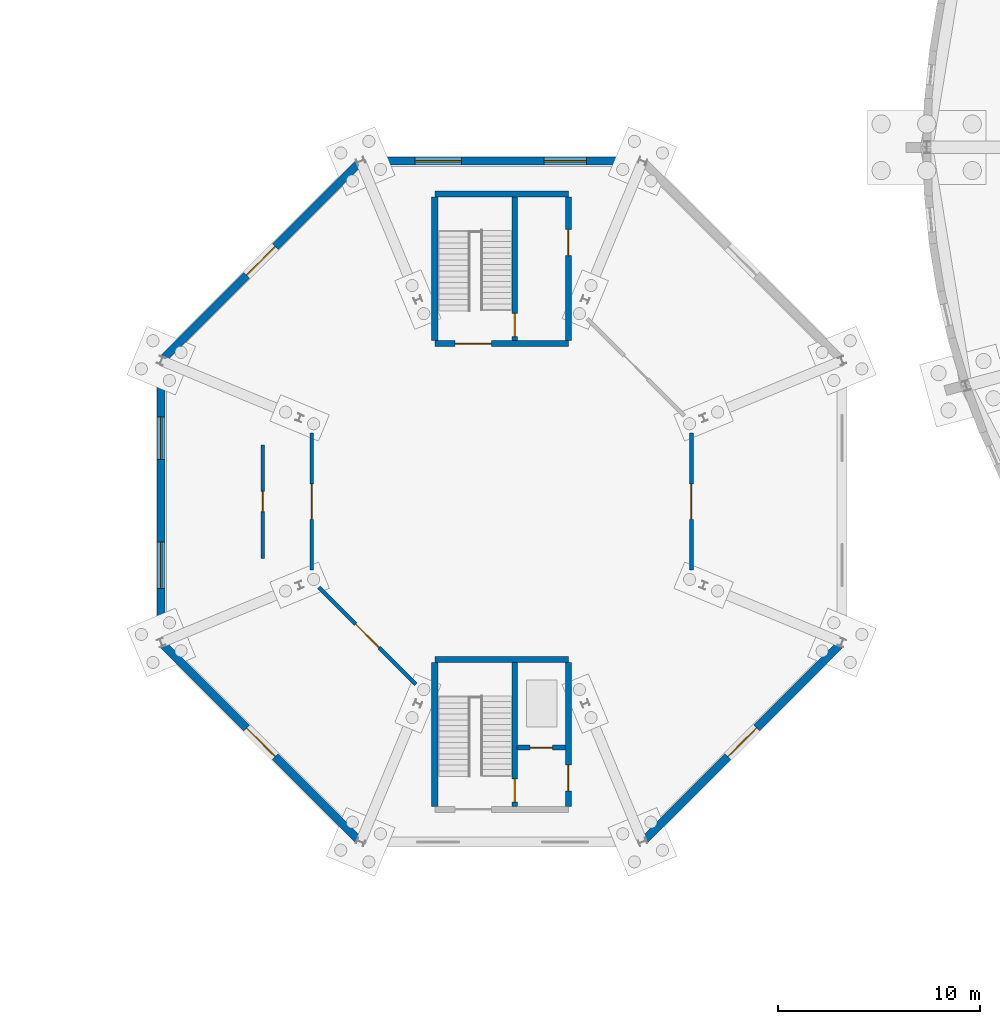
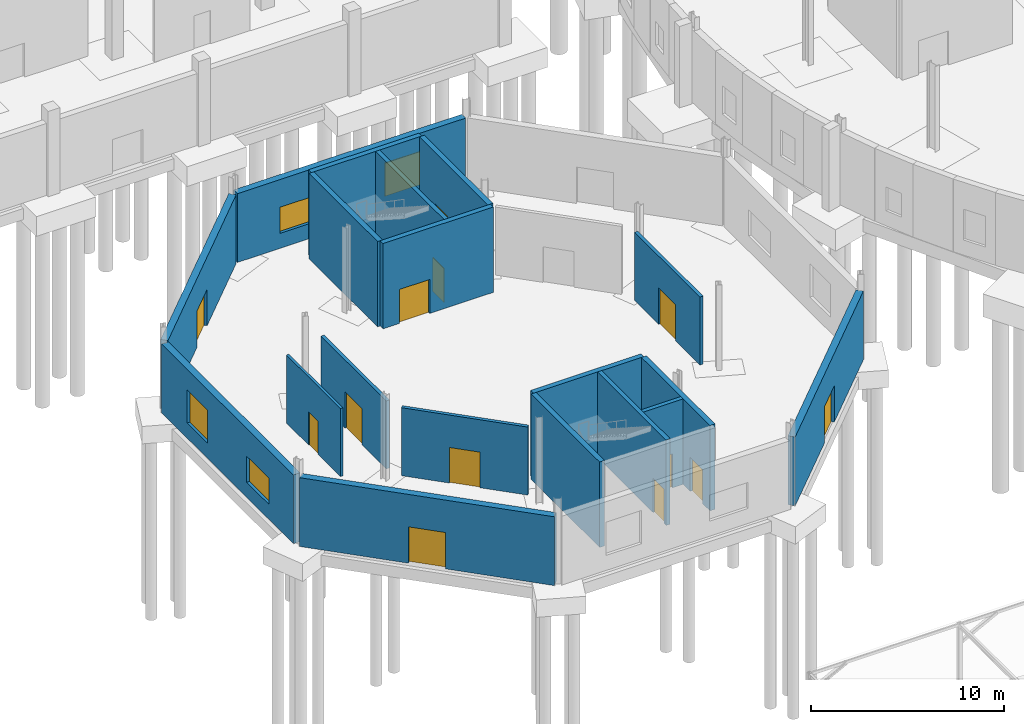
# One storey, part 86 of 118: 19 walls, 13 doors, 4 windows, 17 openings.
"""IFC4 building model written with IfcOpenShell, lengths in metres."""

from ifc_helpers import new_model, si_unit, direction, frame, frame_2d, origin, place, context, subcontext, project, spatial, rectangle, extrude, material, layer, layer_set, type_object, element, fill, save


model = new_model("IFC4")

# Units and contexts
model_context = context("Model", 3, precision=1e-05, world=origin(), true_north=direction((0.0, 1.0)))
body_context = subcontext(model_context, "Body", "Model", "MODEL_VIEW")
ifc_project = project(units=[si_unit("LENGTHUNIT", "METRE"), si_unit("AREAUNIT", "SQUARE_METRE"), si_unit("VOLUMEUNIT", "CUBIC_METRE"), si_unit("PLANEANGLEUNIT", "RADIAN"), si_unit("MASSUNIT", "GRAM", prefix="KILO")], contexts=[model_context])

# Site, building, storey
site_placement = place(None, origin())
site = spatial("IfcSite", under=ifc_project, at=site_placement, CompositionType="ELEMENT")
building_placement = place(site_placement, origin())
building = spatial("IfcBuilding", under=site, at=building_placement, Name="Kildeholm Park Wholesale Market", CompositionType="ELEMENT")
storey_placement = place(building_placement, origin())
storey = spatial("IfcBuildingStorey", under=building, at=storey_placement, Name="L00", CompositionType="ELEMENT", Elevation=0.0)

# Wall, openings, windows
ifc_material_1 = material(Name="Bornholm granite stone plinth and Concrete C35/45 wall", Category="masonry")
ifc_layer_1 = layer(ifc_material_1, 0.39990234375)
ifc_layer_set_1 = layer_set([ifc_layer_1], Name="Bornholm granite stone plinth and Concrete C35/45 wall")
wall_type_1 = type_object("IfcWallType", Name="Exterior wall W-EX2 400 mm", PredefinedType="SOLIDWALL", material=ifc_layer_set_1)
wall_1_placement = place(storey_placement, frame((27.824951171875, 88.81494140625, 0.0), z_axis=(0.0, 0.0, 1.0), x_axis=(-1.0, 0.0, 0.0)))
wall_1 = element("IfcWall", 1, at=wall_1_placement, inside=storey, type_object=wall_type_1, Name="Auction pavilion facet wall 2 WL-0310", PredefinedType="SOLIDWALL", context=body_context, shape_type="SweptSolid", body=[
    extrude(rectangle(XDim=13.64990234375, YDim=0.39990234375, at=frame_2d((6.824951171875, 0.0))), origin(), (0.0, 0.0, 1.0), 4.35009765625),
])
opening_1_placement = place(wall_1_placement, frame((2.635009765625, 0.0, 0.949951171875)))
opening_1 = element("IfcOpeningElement", 2, at=opening_1_placement, cuts=wall_1, Name="Opening WN-03", PredefinedType="OPENING", context=body_context, shape_type="SweptSolid", body=[
    extrude(rectangle(XDim=2.10009765625, YDim=2.10009765625, at=frame_2d((1.050048828125, 1.050048828125))), frame((0.0, 0.2099609375, 0.0), z_axis=(0.0, -1.0, 0.0), x_axis=(1.0, 0.0, 0.0)), (0.0, 0.0, 1.0), 0.419921875),
])
opening_2_placement = place(wall_1_placement, frame((8.81396484375, 0.0, 0.949951171875)))
opening_2 = element("IfcOpeningElement", 3, at=opening_2_placement, cuts=wall_1, Name="Opening WN-23", PredefinedType="OPENING", context=body_context, shape_type="SweptSolid", body=[
    extrude(rectangle(XDim=2.300048828125, YDim=1.64990234375, at=frame_2d((1.14990234375, 0.824951171875))), frame((0.0, 0.2099609375, 0.0), z_axis=(0.0, -1.0, 0.0), x_axis=(1.0, 0.0, 0.0)), (0.0, 0.0, 1.0), 0.419921875),
])
ifc_material_2 = material(Name="Thermally broken aluminium and triple-glazed low-E glass", Category="aluminium")
window_type_1 = type_object("IfcWindowType", Name="Window WN-03 2100x2100", PartitioningType="TRIPLE_PANEL_VERTICAL", PredefinedType="WINDOW", material=ifc_material_2)
window_1_placement = place(opening_1_placement, origin())
window_1 = element("IfcWindow", 4, at=window_1_placement, inside=storey, type_object=window_type_1, Name="Auction facet window 2A WIN-0091", OverallHeight=2.10009765625, OverallWidth=2.10009765625, PartitioningType="SINGLE_PANEL", PredefinedType="WINDOW", context=body_context, shape_type="SweptSolid", body=[
    extrude(rectangle(XDim=2.10009765625, YDim=2.10009765625, at=frame_2d((1.050048828125, 1.050048828125))), frame((0.0, 0.030029296875, 0.0), z_axis=(0.0, -1.0, 0.0), x_axis=(1.0, 0.0, 0.0)), (0.0, 0.0, 1.0), 0.06005859375),
])
fill(opening_1, window_1)
window_type_2 = type_object("IfcWindowType", Name="Window WN-23 2300x1650", PartitioningType="TRIPLE_PANEL_VERTICAL", PredefinedType="WINDOW", material=ifc_material_2)
window_2_placement = place(opening_2_placement, origin())
window_2 = element("IfcWindow", 5, at=window_2_placement, inside=storey, type_object=window_type_2, Name="Auction facet window 2B WIN-0092", OverallHeight=1.64990234375, OverallWidth=2.300048828125, PartitioningType="SINGLE_PANEL", PredefinedType="WINDOW", context=body_context, shape_type="SweptSolid", body=[
    extrude(rectangle(XDim=2.300048828125, YDim=1.64990234375, at=frame_2d((1.14990234375, 0.824951171875))), frame((0.0, 0.030029296875, 0.0), z_axis=(0.0, -1.0, 0.0), x_axis=(1.0, 0.0, 0.0)), (0.0, 0.0, 1.0), 0.06005859375),
])
fill(opening_2, window_2)

# Wall, opening, door
wall_2_placement = place(storey_placement, frame((13.93603515625, 88.716064453125, 0.0), z_axis=(0.0, 0.0, 1.0), x_axis=(-0.707106781187, -0.707106781187, 0.0)))
wall_2 = element("IfcWall", 6, at=wall_2_placement, inside=storey, type_object=wall_type_1, Name="Auction pavilion facet wall 3 WL-0311", PredefinedType="SOLIDWALL", context=body_context, shape_type="SweptSolid", body=[
    extrude(rectangle(XDim=13.650146484375, YDim=0.39990234375, at=frame_2d((6.8251953125, 0.0))), origin(), (0.0, 0.0, 1.0), 4.35009765625),
])
opening_3_placement = place(wall_2_placement, frame((5.824951171875, 0.0, 0.0)))
opening_3 = element("IfcOpeningElement", 7, at=opening_3_placement, cuts=wall_2, Name="Opening D-EX02", PredefinedType="OPENING", context=body_context, shape_type="SweptSolid", body=[
    extrude(rectangle(XDim=2.0, YDim=2.300048828125, at=frame_2d((1.0, 1.14990234375))), frame((0.0, 0.2099609375, 0.0), z_axis=(0.0, -1.0, 0.0), x_axis=(1.0, 0.0, 0.0)), (0.0, 0.0, 1.0), 0.419921875),
])
ifc_material_3 = material(Name="Anodised aluminium and safety glass", Category="aluminium")
door_type_1 = type_object("IfcDoorType", Name="Exterior door D-EX02 2000x2300", OperationType="NOTDEFINED", PredefinedType="DOOR", material=ifc_material_3)
door_1_placement = place(opening_3_placement, frame((2.0, 0.0, 0.0), z_axis=(0.0, 0.0, 1.0), x_axis=(-1.0, 0.0, 0.0)))
door_1 = element("IfcDoor", 8, at=door_1_placement, inside=storey, type_object=door_type_1, Name="Auction pavilion exit door 3 DR-0016 WL-0311", OperationType="DOUBLE_DOOR_SINGLE_SWING", OverallHeight=2.300048828125, OverallWidth=2.0, PredefinedType="DOOR", context=body_context, shape_type="SweptSolid", body=[
    extrude(rectangle(XDim=2.0, YDim=2.300048828125, at=frame_2d((1.0, 1.14990234375))), frame((0.0, 0.02490234375, 0.0), z_axis=(0.0, -1.0, 0.0), x_axis=(1.0, 0.0, 0.0)), (0.0, 0.0, 1.0), 0.050048828125),
])
fill(opening_3, door_1)

# Wall, openings, windows
wall_3_placement = place(storey_placement, frame((4.18505859375, 78.824951171875, 0.0), z_axis=(0.0, 0.0, 1.0), x_axis=(0.0, -1.0, 0.0)))
wall_3 = element("IfcWall", 9, at=wall_3_placement, inside=storey, type_object=wall_type_1, Name="Auction pavilion facet wall 4 WL-0312", PredefinedType="SOLIDWALL", context=body_context, shape_type="SweptSolid", body=[
    extrude(rectangle(XDim=13.64990234375, YDim=0.39990234375, at=frame_2d((6.824951171875, 0.0))), origin(), (0.0, 0.0, 1.0), 4.35009765625),
])
opening_4_placement = place(wall_3_placement, frame((2.635986328125, 0.0, 0.949951171875)))
opening_4 = element("IfcOpeningElement", 10, at=opening_4_placement, cuts=wall_3, Name="Opening WN-03", PredefinedType="OPENING", context=body_context, shape_type="SweptSolid", body=[
    extrude(rectangle(XDim=2.10009765625, YDim=2.10009765625, at=frame_2d((1.050048828125, 1.050048828125))), frame((0.0, 0.2099609375, 0.0), z_axis=(0.0, -1.0, 0.0), x_axis=(1.0, 0.0, 0.0)), (0.0, 0.0, 1.0), 0.419921875),
])
opening_5_placement = place(wall_3_placement, frame((8.81494140625, 0.0, 0.949951171875)))
opening_5 = element("IfcOpeningElement", 11, at=opening_5_placement, cuts=wall_3, Name="Opening WN-23", PredefinedType="OPENING", context=body_context, shape_type="SweptSolid", body=[
    extrude(rectangle(XDim=2.300048828125, YDim=1.64990234375, at=frame_2d((1.14990234375, 0.824951171875))), frame((0.0, 0.2099609375, 0.0), z_axis=(0.0, -1.0, 0.0), x_axis=(1.0, 0.0, 0.0)), (0.0, 0.0, 1.0), 0.419921875),
])
window_3_placement = place(opening_4_placement, origin())
window_3 = element("IfcWindow", 12, at=window_3_placement, inside=storey, type_object=window_type_1, Name="Auction facet window 4A WIN-0093", OverallHeight=2.10009765625, OverallWidth=2.10009765625, PartitioningType="SINGLE_PANEL", PredefinedType="WINDOW", context=body_context, shape_type="SweptSolid", body=[
    extrude(rectangle(XDim=2.10009765625, YDim=2.10009765625, at=frame_2d((1.050048828125, 1.050048828125))), frame((0.0, 0.030029296875, 0.0), z_axis=(0.0, -1.0, 0.0), x_axis=(1.0, 0.0, 0.0)), (0.0, 0.0, 1.0), 0.06005859375),
])
fill(opening_4, window_3)
window_4_placement = place(opening_5_placement, origin())
window_4 = element("IfcWindow", 13, at=window_4_placement, inside=storey, type_object=window_type_2, Name="Auction facet window 4B WIN-0094", OverallHeight=1.64990234375, OverallWidth=2.300048828125, PartitioningType="SINGLE_PANEL", PredefinedType="WINDOW", context=body_context, shape_type="SweptSolid", body=[
    extrude(rectangle(XDim=2.300048828125, YDim=1.64990234375, at=frame_2d((1.14990234375, 0.824951171875))), frame((0.0, 0.030029296875, 0.0), z_axis=(0.0, -1.0, 0.0), x_axis=(1.0, 0.0, 0.0)), (0.0, 0.0, 1.0), 0.06005859375),
])
fill(opening_5, window_4)

# Wall, opening, door
wall_4_placement = place(storey_placement, frame((4.283935546875, 64.93603515625, 0.0), z_axis=(0.0, 0.0, 1.0), x_axis=(0.707106781187, -0.707106781187, 0.0)))
wall_4 = element("IfcWall", 14, at=wall_4_placement, inside=storey, type_object=wall_type_1, Name="Auction pavilion facet wall 5 WL-0313", PredefinedType="SOLIDWALL", context=body_context, shape_type="SweptSolid", body=[
    extrude(rectangle(XDim=13.650146484375, YDim=0.39990234375, at=frame_2d((6.8251953125, 0.0))), origin(), (0.0, 0.0, 1.0), 4.35009765625),
])
opening_6_placement = place(wall_4_placement, frame((5.824951171875, 0.0, 0.0)))
opening_6 = element("IfcOpeningElement", 15, at=opening_6_placement, cuts=wall_4, Name="Opening D-EX02", PredefinedType="OPENING", context=body_context, shape_type="SweptSolid", body=[
    extrude(rectangle(XDim=2.0, YDim=2.300048828125, at=frame_2d((1.0, 1.14990234375))), frame((0.0, 0.2099609375, 0.0), z_axis=(0.0, -1.0, 0.0), x_axis=(1.0, 0.0, 0.0)), (0.0, 0.0, 1.0), 0.419921875),
])
door_2_placement = place(opening_6_placement, frame((2.0, 0.0, 0.0), z_axis=(0.0, 0.0, 1.0), x_axis=(-1.0, 0.0, 0.0)))
door_2 = element("IfcDoor", 16, at=door_2_placement, inside=storey, type_object=door_type_1, Name="Auction pavilion exit door 5 DR-0017 WL-0313", OperationType="DOUBLE_DOOR_SINGLE_SWING", OverallHeight=2.300048828125, OverallWidth=2.0, PredefinedType="DOOR", context=body_context, shape_type="SweptSolid", body=[
    extrude(rectangle(XDim=2.0, YDim=2.300048828125, at=frame_2d((1.0, 1.14990234375))), frame((0.0, 0.02490234375, 0.0), z_axis=(0.0, -1.0, 0.0), x_axis=(1.0, 0.0, 0.0)), (0.0, 0.0, 1.0), 0.050048828125),
])
fill(opening_6, door_2)

wall_5_placement = place(storey_placement, frame((28.06396484375, 55.283935546875, 0.0), z_axis=(0.0, 0.0, 1.0), x_axis=(0.707106781187, 0.707106781187, 0.0)))
wall_5 = element("IfcWall", 17, at=wall_5_placement, inside=storey, type_object=wall_type_1, Name="Auction pavilion facet wall 7 WL-0315", PredefinedType="SOLIDWALL", context=body_context, shape_type="SweptSolid", body=[
    extrude(rectangle(XDim=13.650146484375, YDim=0.39990234375, at=frame_2d((6.8251953125, 0.0))), origin(), (0.0, 0.0, 1.0), 4.35009765625),
])
opening_7_placement = place(wall_5_placement, frame((5.824951171875, 0.0, 0.0)))
opening_7 = element("IfcOpeningElement", 18, at=opening_7_placement, cuts=wall_5, Name="Opening D-EX02", PredefinedType="OPENING", context=body_context, shape_type="SweptSolid", body=[
    extrude(rectangle(XDim=2.0, YDim=2.300048828125, at=frame_2d((1.0, 1.14990234375))), frame((0.0, 0.2099609375, 0.0), z_axis=(0.0, -1.0, 0.0), x_axis=(1.0, 0.0, 0.0)), (0.0, 0.0, 1.0), 0.419921875),
])
door_3_placement = place(opening_7_placement, frame((2.0, 0.0, 0.0), z_axis=(0.0, 0.0, 1.0), x_axis=(-1.0, 0.0, 0.0)))
door_3 = element("IfcDoor", 19, at=door_3_placement, inside=storey, type_object=door_type_1, Name="Auction pavilion exit door 7 DR-0018 WL-0315", OperationType="DOUBLE_DOOR_SINGLE_SWING", OverallHeight=2.300048828125, OverallWidth=2.0, PredefinedType="DOOR", context=body_context, shape_type="SweptSolid", body=[
    extrude(rectangle(XDim=2.0, YDim=2.300048828125, at=frame_2d((1.0, 1.14990234375))), frame((0.0, 0.02490234375, 0.0), z_axis=(0.0, -1.0, 0.0), x_axis=(1.0, 0.0, 0.0)), (0.0, 0.0, 1.0), 0.050048828125),
])
fill(opening_7, door_3)

ifc_material_4 = material(Name="Acoustic auction bowl surround wall")
ifc_layer_2 = layer(ifc_material_4, 0.195068359375)
ifc_layer_set_2 = layer_set([ifc_layer_2], Name="Acoustic auction bowl surround wall")
wall_type_2 = type_object("IfcWallType", Name="Partition W-PT07 195 mm", PredefinedType="PARTITIONING", material=ifc_layer_set_2)
wall_6_placement = place(storey_placement, frame((11.62109375, 75.385009765625, 0.0), z_axis=(0.0, 0.0, 1.0), x_axis=(0.0, -1.0, 0.0)))
wall_6 = element("IfcWall", 20, at=wall_6_placement, inside=storey, type_object=wall_type_2, Name="Interior partition W-V3-BWL-03 WL-0965", PredefinedType="PARTITIONING", context=body_context, shape_type="SweptSolid", body=[
    extrude(rectangle(XDim=6.77001953125, YDim=0.195068359375, at=frame_2d((3.385009765625, 0.0))), origin(), (0.0, 0.0, 1.0), 4.300048828125),
])
opening_8_placement = place(wall_6_placement, frame((2.510009765625, 0.0, 0.0)))
opening_8 = element("IfcOpeningElement", 21, at=opening_8_placement, cuts=wall_6, Name="Opening D-IN13", PredefinedType="OPENING", context=body_context, shape_type="SweptSolid", body=[
    extrude(rectangle(XDim=1.75, YDim=2.300048828125, at=frame_2d((0.875, 1.14990234375))), frame((0.0, 0.107421875, 0.0), z_axis=(0.0, -1.0, 0.0), x_axis=(1.0, 0.0, 0.0)), (0.0, 0.0, 1.0), 0.215087890625),
])
ifc_material_5 = material(Name="Auction marshalling double doorset")
door_type_2 = type_object("IfcDoorType", Name="Interior door D-IN13 1750x2300", OperationType="NOTDEFINED", PredefinedType="DOOR", material=ifc_material_5)
door_4_placement = place(opening_8_placement, origin())
door_4 = element("IfcDoor", 22, at=door_4_placement, inside=storey, type_object=door_type_2, Name="Interior door V3-BWL-03 DR-0240 WL-0965", OperationType="DOUBLE_DOOR_SINGLE_SWING", OverallHeight=2.300048828125, OverallWidth=1.75, PredefinedType="DOOR", context=body_context, shape_type="SweptSolid", body=[
    extrude(rectangle(XDim=1.75, YDim=2.300048828125, at=frame_2d((0.875, 1.14990234375))), frame((0.0, 0.02490234375, 0.0), z_axis=(0.0, -1.0, 0.0), x_axis=(1.0, 0.0, 0.0)), (0.0, 0.0, 1.0), 0.050048828125),
])
fill(opening_8, door_4)

wall_7_placement = place(storey_placement, frame((11.97509765625, 67.760986328125, 0.0), z_axis=(0.0, 0.0, 1.0), x_axis=(0.707106781187, -0.707106781187, 0.0)))
wall_7 = element("IfcWall", 23, at=wall_7_placement, inside=storey, type_object=wall_type_2, Name="Interior partition W-V3-BWL-04 WL-0966", PredefinedType="PARTITIONING", context=body_context, shape_type="SweptSolid", body=[
    extrude(rectangle(XDim=6.768310546875, YDim=0.195068359375, at=frame_2d((3.38427734375, 0.0))), origin(), (0.0, 0.0, 1.0), 4.300048828125),
])
opening_9_placement = place(wall_7_placement, frame((2.55908203125, 0.0, 0.0)))
opening_9 = element("IfcOpeningElement", 24, at=opening_9_placement, cuts=wall_7, Name="Opening D-IN06", PredefinedType="OPENING", context=body_context, shape_type="SweptSolid", body=[
    extrude(rectangle(XDim=1.64990234375, YDim=2.25, at=frame_2d((0.824951171875, 1.125))), frame((0.0, 0.107421875, 0.0), z_axis=(0.0, -1.0, 0.0), x_axis=(1.0, 0.0, 0.0)), (0.0, 0.0, 1.0), 0.215087890625),
])
ifc_material_6 = material(Name="Double-leaf auction and community hall doorset")
door_type_3 = type_object("IfcDoorType", Name="Interior door D-IN06 1650x2250", OperationType="NOTDEFINED", PredefinedType="DOOR", material=ifc_material_6)
door_5_placement = place(opening_9_placement, origin())
door_5 = element("IfcDoor", 25, at=door_5_placement, inside=storey, type_object=door_type_3, Name="Interior door V3-BWL-04 DR-0241 WL-0966", OperationType="DOUBLE_DOOR_SINGLE_SWING", OverallHeight=2.25, OverallWidth=1.64990234375, PredefinedType="DOOR", context=body_context, shape_type="SweptSolid", body=[
    extrude(rectangle(XDim=1.64990234375, YDim=2.25, at=frame_2d((0.824951171875, 1.125))), frame((0.0, 0.02490234375, 0.0), z_axis=(0.0, -1.0, 0.0), x_axis=(1.0, 0.0, 0.0)), (0.0, 0.0, 1.0), 0.050048828125),
])
fill(opening_9, door_5)

wall_8_placement = place(storey_placement, frame((30.37890625, 68.614990234375, 0.0), z_axis=(0.0, 0.0, 1.0), x_axis=(0.0, 1.0, 0.0)))
wall_8 = element("IfcWall", 26, at=wall_8_placement, inside=storey, type_object=wall_type_2, Name="Interior partition W-V3-BWL-07 WL-0967", PredefinedType="PARTITIONING", context=body_context, shape_type="SweptSolid", body=[
    extrude(rectangle(XDim=6.77001953125, YDim=0.195068359375, at=frame_2d((3.385009765625, 0.0))), origin(), (0.0, 0.0, 1.0), 4.300048828125),
])
opening_10_placement = place(wall_8_placement, frame((2.510009765625, 0.0, 0.0)))
opening_10 = element("IfcOpeningElement", 27, at=opening_10_placement, cuts=wall_8, Name="Opening D-IN13", PredefinedType="OPENING", context=body_context, shape_type="SweptSolid", body=[
    extrude(rectangle(XDim=1.75, YDim=2.300048828125, at=frame_2d((0.875, 1.14990234375))), frame((0.0, 0.107421875, 0.0), z_axis=(0.0, -1.0, 0.0), x_axis=(1.0, 0.0, 0.0)), (0.0, 0.0, 1.0), 0.215087890625),
])
door_6_placement = place(opening_10_placement, origin())
door_6 = element("IfcDoor", 28, at=door_6_placement, inside=storey, type_object=door_type_2, Name="Interior door V3-BWL-07 DR-0242 WL-0967", OperationType="DOUBLE_DOOR_SINGLE_SWING", OverallHeight=2.300048828125, OverallWidth=1.75, PredefinedType="DOOR", context=body_context, shape_type="SweptSolid", body=[
    extrude(rectangle(XDim=1.75, YDim=2.300048828125, at=frame_2d((0.875, 1.14990234375))), frame((0.0, 0.02490234375, 0.0), z_axis=(0.0, -1.0, 0.0), x_axis=(1.0, 0.0, 0.0)), (0.0, 0.0, 1.0), 0.050048828125),
])
fill(opening_10, door_6)

ifc_material_7 = material(Name="Tile-faced sanitary core partition")
ifc_layer_3 = layer(ifc_material_7, 0.155029296875)
ifc_layer_set_3 = layer_set([ifc_layer_3], Name="Tile-faced sanitary core partition")
wall_type_3 = type_object("IfcWallType", Name="Partition W-PT15 155 mm", PredefinedType="PARTITIONING", material=ifc_layer_set_3)
wall_9_placement = place(storey_placement, frame((9.199951171875, 69.199951171875, 0.0), z_axis=(0.0, 0.0, 1.0), x_axis=(0.0, 1.0, 0.0)))
wall_9 = element("IfcWall", 29, at=wall_9_placement, inside=storey, type_object=wall_type_3, Name="Interior partition W-V3-WC0 WL-0968", PredefinedType="PARTITIONING", context=body_context, shape_type="SweptSolid", body=[
    extrude(rectangle(XDim=5.60009765625, YDim=0.155029296875, at=frame_2d((2.800048828125, 0.0))), origin(), (0.0, 0.0, 1.0), 4.300048828125),
])
opening_11_placement = place(wall_9_placement, frame((2.300048828125, 0.0, 0.0)))
opening_11 = element("IfcOpeningElement", 30, at=opening_11_placement, cuts=wall_9, Name="Opening D-IN02", PredefinedType="OPENING", context=body_context, shape_type="SweptSolid", body=[
    extrude(rectangle(XDim=1.0, YDim=2.10009765625, at=frame_2d((0.5, 1.050048828125))), frame((0.0, 0.08740234375, 0.0), z_axis=(0.0, -1.0, 0.0), x_axis=(1.0, 0.0, 0.0)), (0.0, 0.0, 1.0), 0.175048828125),
])
ifc_material_8 = material(Name="Hygienic laminate accessible WC doorset")
door_type_4 = type_object("IfcDoorType", Name="Interior door D-IN02 1000x2100", OperationType="NOTDEFINED", PredefinedType="DOOR", material=ifc_material_8)
door_7_placement = place(opening_11_placement, origin())
door_7 = element("IfcDoor", 31, at=door_7_placement, inside=storey, type_object=door_type_4, Name="Interior door V3-WC0 DR-0243 WL-0968", OperationType="SINGLE_SWING_LEFT", OverallHeight=2.10009765625, OverallWidth=1.0, PredefinedType="DOOR", context=body_context, shape_type="SweptSolid", body=[
    extrude(rectangle(XDim=1.0, YDim=2.10009765625, at=frame_2d((0.5, 1.050048828125))), frame((0.0, 0.02490234375, 0.0), z_axis=(0.0, -1.0, 0.0), x_axis=(1.0, 0.0, 0.0)), (0.0, 0.0, 1.0), 0.050048828125),
])
fill(opening_11, door_7)

# Walls
ifc_material_9 = material(Name="Concrete C40/50", Category="concrete")
ifc_layer_4 = layer(ifc_material_9, 0.300048828125)
ifc_layer_set_4 = layer_set([ifc_layer_4], Name="Concrete C40/50")
wall_type_4 = type_object("IfcWallType", Name="Shear wall W-SH1 300 mm", PredefinedType="SHEAR", material=ifc_layer_set_4)
wall_10_placement = place(storey_placement, frame((17.699951171875, 64.199951171875, 0.0), z_axis=(0.0, 0.0, 1.0), x_axis=(1.0, 0.0, 0.0)))
element("IfcWall", 32, at=wall_10_placement, inside=storey, type_object=wall_type_4, Name="Core C14 north shear wall L00 WL-0892", PredefinedType="SHEAR", context=body_context, shape_type="SweptSolid", body=[
    extrude(rectangle(XDim=6.60009765625, YDim=0.300048828125, at=frame_2d((3.300048828125, 0.0))), origin(), (0.0, 0.0, 1.0), 5.39990234375),
])
wall_11_placement = place(storey_placement, frame((17.699951171875, 56.949951171875, 0.0), z_axis=(0.0, 0.0, 1.0), x_axis=(0.0, 1.0, 0.0)))
element("IfcWall", 33, at=wall_11_placement, inside=storey, type_object=wall_type_4, Name="Core C14 west shear wall L00 WL-0893", PredefinedType="SHEAR", context=body_context, shape_type="SweptSolid", body=[
    extrude(rectangle(XDim=7.10009765625, YDim=0.300048828125, at=frame_2d((3.550048828125, 0.0))), origin(), (0.0, 0.0, 1.0), 5.39990234375),
])

# Wall, opening, door
wall_12_placement = place(storey_placement, frame((24.300048828125, 56.949951171875, 0.0), z_axis=(0.0, 0.0, 1.0), x_axis=(0.0, 1.0, 0.0)))
wall_12 = element("IfcWall", 34, at=wall_12_placement, inside=storey, type_object=wall_type_4, Name="Core C14 east shear wall L00 WL-0894", PredefinedType="SHEAR", context=body_context, shape_type="SweptSolid", body=[
    extrude(rectangle(XDim=7.10009765625, YDim=0.300048828125, at=frame_2d((3.550048828125, 0.0))), origin(), (0.0, 0.0, 1.0), 5.39990234375),
])
opening_12_placement = place(wall_12_placement, frame((0.75, 0.0, 0.0)))
opening_12 = element("IfcOpeningElement", 35, at=opening_12_placement, cuts=wall_12, Name="Opening D-CR02", PredefinedType="OPENING", context=body_context, shape_type="SweptSolid", body=[
    extrude(rectangle(XDim=1.300048828125, YDim=2.14990234375, at=frame_2d((0.64990234375, 1.074951171875))), frame((0.0, 0.159912109375, 0.0), z_axis=(0.0, -1.0, 0.0), x_axis=(1.0, 0.0, 0.0)), (0.0, 0.0, 1.0), 0.320068359375),
])
ifc_material_10 = material(Name="Painted steel core lobby double-leaf doorset", Category="steel")
door_type_5 = type_object("IfcDoorType", Name="Interior door D-CR02 1300x2150", OperationType="NOTDEFINED", PredefinedType="DOOR", material=ifc_material_10)
door_8_placement = place(opening_12_placement, frame((1.300048828125, 0.0, 0.0), z_axis=(0.0, 0.0, 1.0), x_axis=(-1.0, 0.0, 0.0)))
door_8 = element("IfcDoor", 36, at=door_8_placement, inside=storey, type_object=door_type_5, Name="Core C14 lobby entrance door L00 DR-0197 WL-0894", OperationType="DOUBLE_DOOR_SINGLE_SWING", OverallHeight=2.14990234375, OverallWidth=1.300048828125, PredefinedType="DOOR", context=body_context, shape_type="SweptSolid", body=[
    extrude(rectangle(XDim=1.300048828125, YDim=2.14990234375, at=frame_2d((0.64990234375, 1.074951171875))), frame((0.0, 0.02490234375, 0.0), z_axis=(0.0, -1.0, 0.0), x_axis=(1.0, 0.0, 0.0)), (0.0, 0.0, 1.0), 0.050048828125),
])
fill(opening_12, door_8)

wall_13_placement = place(storey_placement, frame((17.699951171875, 79.800048828125, 0.0), z_axis=(0.0, 0.0, 1.0), x_axis=(1.0, 0.0, 0.0)))
wall_13 = element("IfcWall", 37, at=wall_13_placement, inside=storey, type_object=wall_type_4, Name="Core C15 south shear wall L00 WL-0903", PredefinedType="SHEAR", context=body_context, shape_type="SweptSolid", body=[
    extrude(rectangle(XDim=6.60009765625, YDim=0.300048828125, at=frame_2d((3.300048828125, 0.0))), origin(), (0.0, 0.0, 1.0), 5.39990234375),
])
opening_13_placement = place(wall_13_placement, frame((1.0, 0.0, 0.0)))
opening_13 = element("IfcOpeningElement", 38, at=opening_13_placement, cuts=wall_13, Name="Opening D-EX05", PredefinedType="OPENING", context=body_context, shape_type="SweptSolid", body=[
    extrude(rectangle(XDim=1.800048828125, YDim=2.14990234375, at=frame_2d((0.89990234375, 1.074951171875))), frame((0.0, 0.159912109375, 0.0), z_axis=(0.0, -1.0, 0.0), x_axis=(1.0, 0.0, 0.0)), (0.0, 0.0, 1.0), 0.320068359375),
])
ifc_material_11 = material(Name="Painted galvanized steel escape doorset", Category="steel")
door_type_6 = type_object("IfcDoorType", Name="Exterior door D-EX05 1800x2150", OperationType="NOTDEFINED", PredefinedType="DOOR", material=ifc_material_11)
door_9_placement = place(opening_13_placement, frame((1.800048828125, 0.0, 0.0), z_axis=(0.0, 0.0, 1.0), x_axis=(-1.0, 0.0, 0.0)))
door_9 = element("IfcDoor", 39, at=door_9_placement, inside=storey, type_object=door_type_6, Name="Core C15 grade stair discharge door DR-0206 WL-0903", OperationType="DOUBLE_DOOR_SINGLE_SWING", OverallHeight=2.14990234375, OverallWidth=1.800048828125, PredefinedType="DOOR", context=body_context, shape_type="SweptSolid", body=[
    extrude(rectangle(XDim=1.800048828125, YDim=2.14990234375, at=frame_2d((0.89990234375, 1.074951171875))), frame((0.0, 0.02490234375, 0.0), z_axis=(0.0, -1.0, 0.0), x_axis=(1.0, 0.0, 0.0)), (0.0, 0.0, 1.0), 0.050048828125),
])
fill(opening_13, door_9)

# Walls
wall_14_placement = place(storey_placement, frame((17.699951171875, 87.199951171875, 0.0), z_axis=(0.0, 0.0, 1.0), x_axis=(1.0, 0.0, 0.0)))
element("IfcWall", 40, at=wall_14_placement, inside=storey, type_object=wall_type_4, Name="Core C15 north shear wall L00 WL-0904", PredefinedType="SHEAR", context=body_context, shape_type="SweptSolid", body=[
    extrude(rectangle(XDim=6.60009765625, YDim=0.300048828125, at=frame_2d((3.300048828125, 0.0))), origin(), (0.0, 0.0, 1.0), 5.39990234375),
])
wall_15_placement = place(storey_placement, frame((17.699951171875, 79.949951171875, 0.0), z_axis=(0.0, 0.0, 1.0), x_axis=(0.0, 1.0, 0.0)))
element("IfcWall", 41, at=wall_15_placement, inside=storey, type_object=wall_type_4, Name="Core C15 west shear wall L00 WL-0905", PredefinedType="SHEAR", context=body_context, shape_type="SweptSolid", body=[
    extrude(rectangle(XDim=7.10009765625, YDim=0.300048828125, at=frame_2d((3.550048828125, 0.0))), origin(), (0.0, 0.0, 1.0), 5.39990234375),
])

# Wall, opening, door
wall_16_placement = place(storey_placement, frame((24.300048828125, 79.949951171875, 0.0), z_axis=(0.0, 0.0, 1.0), x_axis=(0.0, 1.0, 0.0)))
wall_16 = element("IfcWall", 42, at=wall_16_placement, inside=storey, type_object=wall_type_4, Name="Core C15 east shear wall L00 WL-0906", PredefinedType="SHEAR", context=body_context, shape_type="SweptSolid", body=[
    extrude(rectangle(XDim=7.10009765625, YDim=0.300048828125, at=frame_2d((3.550048828125, 0.0))), origin(), (0.0, 0.0, 1.0), 5.39990234375),
])
opening_14_placement = place(wall_16_placement, frame((4.199951171875, 0.0, 0.0)))
opening_14 = element("IfcOpeningElement", 43, at=opening_14_placement, cuts=wall_16, Name="Opening D-CR02", PredefinedType="OPENING", context=body_context, shape_type="SweptSolid", body=[
    extrude(rectangle(XDim=1.300048828125, YDim=2.14990234375, at=frame_2d((0.64990234375, 1.074951171875))), frame((0.0, 0.159912109375, 0.0), z_axis=(0.0, -1.0, 0.0), x_axis=(1.0, 0.0, 0.0)), (0.0, 0.0, 1.0), 0.320068359375),
])
door_10_placement = place(opening_14_placement, frame((1.300048828125, 0.0, 0.0), z_axis=(0.0, 0.0, 1.0), x_axis=(-1.0, 0.0, 0.0)))
door_10 = element("IfcDoor", 44, at=door_10_placement, inside=storey, type_object=door_type_5, Name="Core C15 lobby entrance door L00 DR-0204 WL-0906", OperationType="DOUBLE_DOOR_SINGLE_SWING", OverallHeight=2.14990234375, OverallWidth=1.300048828125, PredefinedType="DOOR", context=body_context, shape_type="SweptSolid", body=[
    extrude(rectangle(XDim=1.300048828125, YDim=2.14990234375, at=frame_2d((0.64990234375, 1.074951171875))), frame((0.0, 0.02490234375, 0.0), z_axis=(0.0, -1.0, 0.0), x_axis=(1.0, 0.0, 0.0)), (0.0, 0.0, 1.0), 0.050048828125),
])
fill(opening_14, door_10)

ifc_layer_5 = layer(ifc_material_9, 0.25)
ifc_layer_set_5 = layer_set([ifc_layer_5], Name="Concrete C40/50")
wall_type_5 = type_object("IfcWallType", Name="Shear wall W-SH2 250 mm", PredefinedType="SHEAR", material=ifc_layer_set_5)
wall_17_placement = place(storey_placement, frame((21.64990234375, 56.949951171875, 0.0), z_axis=(0.0, 0.0, 1.0), x_axis=(0.0, 1.0, 0.0)))
wall_17 = element("IfcWall", 45, at=wall_17_placement, inside=storey, type_object=wall_type_5, Name="Core C14 shaft wall L00 WL-0895", PredefinedType="SHEAR", context=body_context, shape_type="SweptSolid", body=[
    extrude(rectangle(XDim=7.10009765625, YDim=0.25, at=frame_2d((3.550048828125, 0.0))), origin(), (0.0, 0.0, 1.0), 5.39990234375),
])
opening_15_placement = place(wall_17_placement, frame((0.199951171875, 0.0, 0.0)))
opening_15 = element("IfcOpeningElement", 46, at=opening_15_placement, cuts=wall_17, Name="Opening D-CR01", PredefinedType="OPENING", context=body_context, shape_type="SweptSolid", body=[
    extrude(rectangle(XDim=1.14990234375, YDim=2.14990234375, at=frame_2d((0.574951171875, 1.074951171875))), frame((0.0, 0.135009765625, 0.0), z_axis=(0.0, -1.0, 0.0), x_axis=(1.0, 0.0, 0.0)), (0.0, 0.0, 1.0), 0.27001953125),
])
ifc_material_12 = material(Name="Painted steel fire escape doorset", Category="steel")
door_type_7 = type_object("IfcDoorType", Name="Interior door D-CR01 1150x2150", OperationType="NOTDEFINED", PredefinedType="DOOR", material=ifc_material_12)
door_11_placement = place(opening_15_placement, origin())
door_11 = element("IfcDoor", 47, at=door_11_placement, inside=storey, type_object=door_type_7, Name="Core C14 stair fire door L00 DR-0198 WL-0895", OperationType="SINGLE_SWING_LEFT", OverallHeight=2.14990234375, OverallWidth=1.14990234375, PredefinedType="DOOR", context=body_context, shape_type="SweptSolid", body=[
    extrude(rectangle(XDim=1.14990234375, YDim=2.14990234375, at=frame_2d((0.574951171875, 1.074951171875))), frame((0.0, 0.02490234375, 0.0), z_axis=(0.0, -1.0, 0.0), x_axis=(1.0, 0.0, 0.0)), (0.0, 0.0, 1.0), 0.050048828125),
])
fill(opening_15, door_11)

wall_18_placement = place(storey_placement, frame((21.77001953125, 59.85009765625, 0.0), z_axis=(0.0, 0.0, 1.0), x_axis=(1.0, 0.0, 0.0)))
wall_18 = element("IfcWall", 48, at=wall_18_placement, inside=storey, type_object=wall_type_5, Name="Lift LF-05 shaft front wall L00 WL-0896", PredefinedType="SHEAR", context=body_context, shape_type="SweptSolid", body=[
    extrude(rectangle(XDim=2.3798828125, YDim=0.25, at=frame_2d((1.18994140625, 0.0))), origin(), (0.0, 0.0, 1.0), 5.39990234375),
])
opening_16_placement = place(wall_18_placement, frame((0.639892578125, 0.0, 0.0)))
opening_16 = element("IfcOpeningElement", 49, at=opening_16_placement, cuts=wall_18, Name="Opening LD-05", PredefinedType="OPENING", context=body_context, shape_type="SweptSolid", body=[
    extrude(rectangle(XDim=1.10009765625, YDim=2.14990234375, at=frame_2d((0.550048828125, 1.074951171875))), frame((0.0, 0.135009765625, 0.0), z_axis=(0.0, -1.0, 0.0), x_axis=(1.0, 0.0, 0.0)), (0.0, 0.0, 1.0), 0.27001953125),
])
ifc_material_13 = material(Name="Stainless steel AISI 316 passenger lift landing door", Category="steel")
door_type_8 = type_object("IfcDoorType", Name="Interior door D-LD01 1100x2150", OperationType="NOTDEFINED", PredefinedType="DOOR", material=ifc_material_13)
door_12_placement = place(opening_16_placement, origin())
door_12 = element("IfcDoor", 50, at=door_12_placement, inside=storey, type_object=door_type_8, Name="Lift LF-05 sliding landing door L00 DR-0200 WL-0896", OperationType="SLIDING_TO_LEFT", OverallHeight=2.14990234375, OverallWidth=1.10009765625, PredefinedType="DOOR", context=body_context, shape_type="SweptSolid", body=[
    extrude(rectangle(XDim=1.10009765625, YDim=2.14990234375, at=frame_2d((0.550048828125, 1.074951171875))), frame((0.0, 0.02490234375, 0.0), z_axis=(0.0, -1.0, 0.0), x_axis=(1.0, 0.0, 0.0)), (0.0, 0.0, 1.0), 0.050048828125),
])
fill(opening_16, door_12)

wall_19_placement = place(storey_placement, frame((21.64990234375, 79.949951171875, 0.0), z_axis=(0.0, 0.0, 1.0), x_axis=(0.0, 1.0, 0.0)))
wall_19 = element("IfcWall", 51, at=wall_19_placement, inside=storey, type_object=wall_type_5, Name="Core C15 shaft wall L00 WL-0907", PredefinedType="SHEAR", context=body_context, shape_type="SweptSolid", body=[
    extrude(rectangle(XDim=7.10009765625, YDim=0.25, at=frame_2d((3.550048828125, 0.0))), origin(), (0.0, 0.0, 1.0), 5.39990234375),
])
opening_17_placement = place(wall_19_placement, frame((0.199951171875, 0.0, 0.0)))
opening_17 = element("IfcOpeningElement", 52, at=opening_17_placement, cuts=wall_19, Name="Opening D-CR01", PredefinedType="OPENING", context=body_context, shape_type="SweptSolid", body=[
    extrude(rectangle(XDim=1.14990234375, YDim=2.14990234375, at=frame_2d((0.574951171875, 1.074951171875))), frame((0.0, 0.135009765625, 0.0), z_axis=(0.0, -1.0, 0.0), x_axis=(1.0, 0.0, 0.0)), (0.0, 0.0, 1.0), 0.27001953125),
])
door_13_placement = place(opening_17_placement, origin())
door_13 = element("IfcDoor", 53, at=door_13_placement, inside=storey, type_object=door_type_7, Name="Core C15 stair fire door L00 DR-0205 WL-0907", OperationType="SINGLE_SWING_LEFT", OverallHeight=2.14990234375, OverallWidth=1.14990234375, PredefinedType="DOOR", context=body_context, shape_type="SweptSolid", body=[
    extrude(rectangle(XDim=1.14990234375, YDim=2.14990234375, at=frame_2d((0.574951171875, 1.074951171875))), frame((0.0, 0.02490234375, 0.0), z_axis=(0.0, -1.0, 0.0), x_axis=(1.0, 0.0, 0.0)), (0.0, 0.0, 1.0), 0.050048828125),
])
fill(opening_17, door_13)

save(model, "model.ifc")
